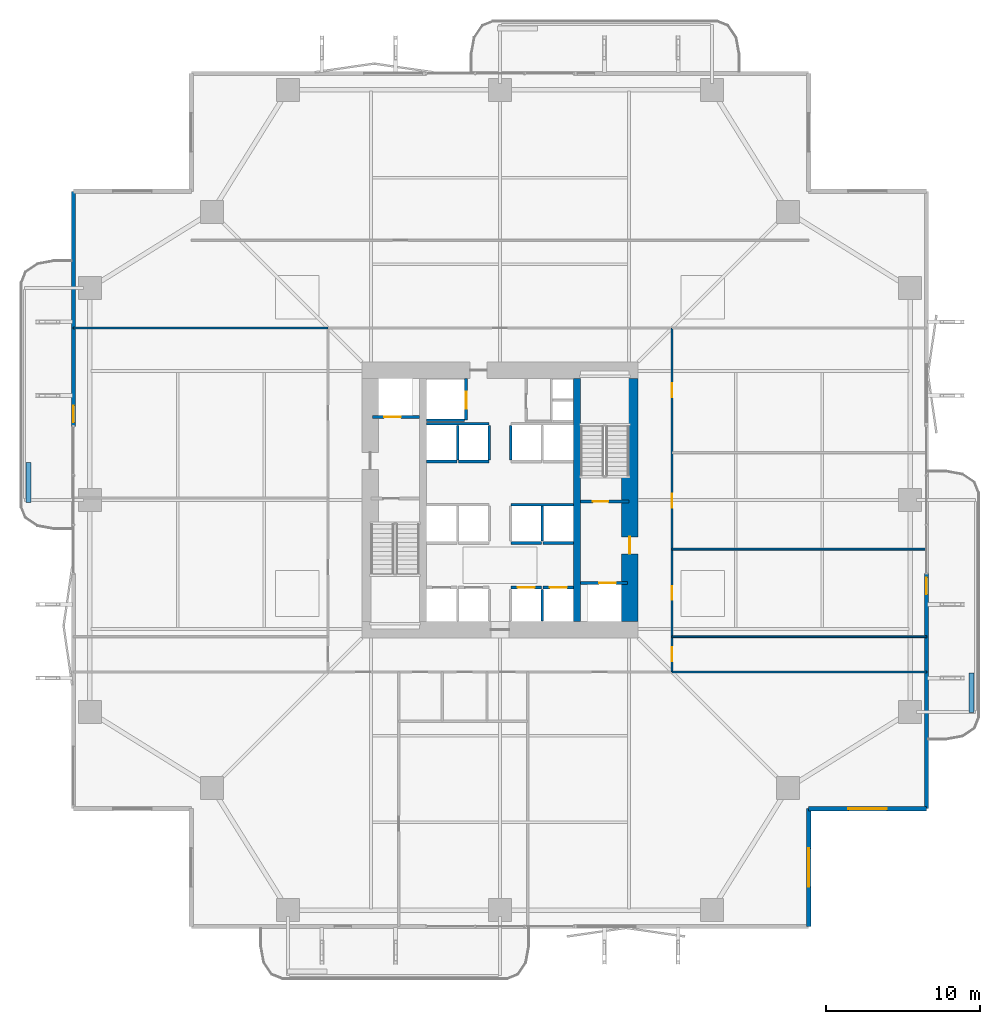
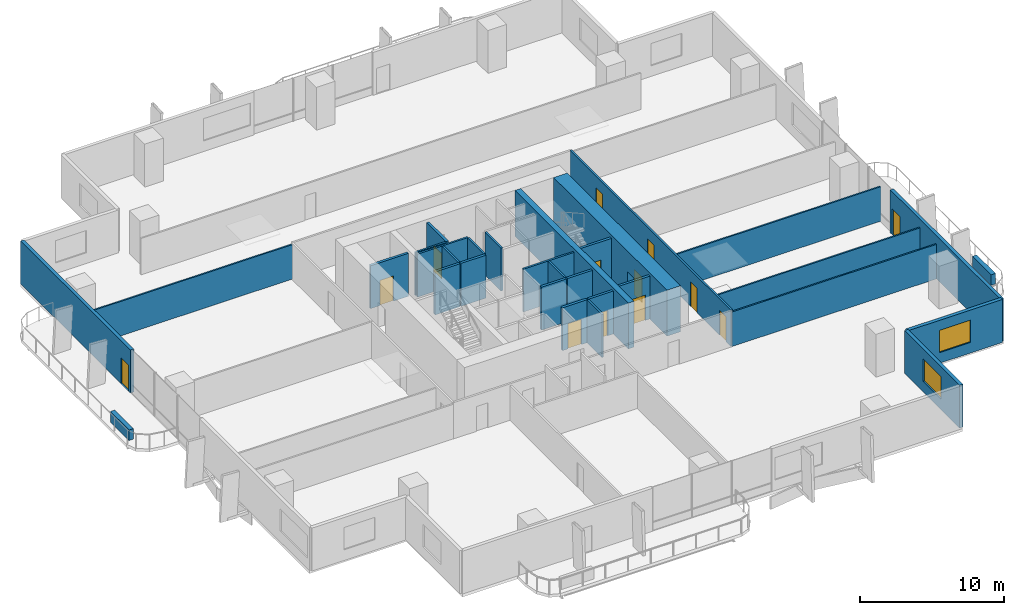
# One storey, part 18 of 23: 31 walls, 13 doors, 2 windows, 15 openings.
"""IFC4 building model written with IfcOpenShell, lengths in metres."""

from ifc_helpers import new_model, si_unit, direction, frame, frame_2d, origin, place, context, subcontext, project, spatial, rectangle, extrude, material, layer, layer_set, type_object, element, fill, save


model = new_model("IFC4")

# Units and contexts
model_context = context("Model", 3, precision=1e-05, world=origin(), true_north=direction((0.0, 1.0)))
body_context = subcontext(model_context, "Body", "Model", "MODEL_VIEW")
ifc_project = project(units=[si_unit("LENGTHUNIT", "METRE"), si_unit("AREAUNIT", "SQUARE_METRE"), si_unit("VOLUMEUNIT", "CUBIC_METRE"), si_unit("PLANEANGLEUNIT", "RADIAN"), si_unit("MASSUNIT", "GRAM", prefix="KILO")], contexts=[model_context])

# Site, building, storey
site_placement = place(None, origin())
site = spatial("IfcSite", under=ifc_project, at=site_placement, CompositionType="ELEMENT")
building_placement = place(site_placement, origin())
building = spatial("IfcBuilding", under=site, at=building_placement, Name="Belovzor Exchange Tower", CompositionType="ELEMENT")
storey_placement = place(building_placement, frame((0.0, 0.0, 65.10009765625)))
storey = spatial("IfcBuildingStorey", under=building, at=storey_placement, Name="L15", CompositionType="ELEMENT", Elevation=65.10009765625)

# Walls
ifc_material_1 = material(Name="Acoustic Plasterboard on Galvanised Studs", Category="gypsum")
ifc_layer_1 = layer(ifc_material_1, 0.1201171875)
ifc_layer_set_1 = layer_set([ifc_layer_1], Name="Acoustic Plasterboard on Galvanised Studs")
wall_type_1 = type_object("IfcWallType", Name="Acoustic Double-Stud Partition Wall 120", PredefinedType="PARTITIONING", material=ifc_layer_set_1)
for number, where, z_axis, x_axis, name in (
    (1, (40.0, 17.60009765625, 0.0), (0.0, 0.0, 1.0), (1.0, 0.0, 0.0), "W-P120 Partition Wall W-L15-END-SE"),
    (2, (1.030029296875, 40.0, 0.0), (0.0, 0.0, 1.0), (1.0, 0.0, 0.0), "W-P120 Partition Wall W-L15-END-NW"),
    (3, (40.0, 19.89990234375, 0.0), (0.0, 0.0, 1.0), (1.0, 0.0, 0.0), "W-P120 Partition Wall W-L15-EDIV-1"),
    (4, (40.0, 25.59912109375, 0.0), (0.0, 0.0, 1.0), (1.0, 0.0, 0.0), "W-P120 Partition Wall W-L15-EDIV-2"),
):
    element("IfcWall", number, at=place(storey_placement, frame(where, z_axis=z_axis, x_axis=x_axis)), inside=storey, type_object=wall_type_1, Name=name, PredefinedType="PARTITIONING", context=body_context, shape_type="SweptSolid", body=[
        extrude(rectangle(XDim=16.570068359375, YDim=0.1201171875, at=frame_2d((8.28515625, 0.0))), origin(), (0.0, 0.0, 1.0), 2.934814453125),
    ])

# Wall, openings, doors
ifc_material_2 = material(Name="Fire-Rated Gypsum Block and Mineral Wool", Category="gypsum")
ifc_layer_2 = layer(ifc_material_2, 0.14990234375)
ifc_layer_set_2 = layer_set([ifc_layer_2], Name="Fire-Rated Gypsum Block and Mineral Wool")
wall_type_2 = type_object("IfcWallType", Name="Fire-Rated Gypsum Block Corridor Wall 150", PredefinedType="PARTITIONING", material=ifc_layer_set_2)
wall_1_placement = place(storey_placement, frame((40.0, 17.60009765625, 0.0), z_axis=(0.0, 0.0, 1.0), x_axis=(0.0, 1.0, 0.0)))
wall_1 = element("IfcWall", 5, at=wall_1_placement, inside=storey, type_object=wall_type_2, Name="W-P150 Partition Wall W-L15-CE", PredefinedType="PARTITIONING", context=body_context, shape_type="SweptSolid", body=[
    extrude(rectangle(XDim=22.39990234375, YDim=0.14990234375, at=frame_2d((11.199951171875, 0.0))), origin(), (0.0, 0.0, 1.0), 3.0849609375),
])
opening_1_placement = place(wall_1_placement, frame((0.699951171875, 0.0, 0.0)))
opening_1 = element("IfcOpeningElement", 6, at=opening_1_placement, cuts=wall_1, Name="Opening D-INT-090", PredefinedType="OPENING", context=body_context, shape_type="SweptSolid", body=[
    extrude(rectangle(XDim=0.89990234375, YDim=2.10009765625, at=frame_2d((0.449951171875, 1.050048828125))), frame((0.0, 0.0849609375, 0.0), z_axis=(0.0, -1.0, 0.0), x_axis=(1.0, 0.0, 0.0)), (0.0, 0.0, 1.0), 0.169921875),
])
opening_2_placement = place(wall_1_placement, frame((4.698974609375, 0.0, 0.0)))
opening_2 = element("IfcOpeningElement", 7, at=opening_2_placement, cuts=wall_1, Name="Opening D-INT-090", PredefinedType="OPENING", context=body_context, shape_type="SweptSolid", body=[
    extrude(rectangle(XDim=0.89990234375, YDim=2.10009765625, at=frame_2d((0.449951171875, 1.050048828125))), frame((0.0, 0.0849609375, 0.0), z_axis=(0.0, -1.0, 0.0), x_axis=(1.0, 0.0, 0.0)), (0.0, 0.0, 1.0), 0.169921875),
])
opening_3_placement = place(wall_1_placement, frame((10.69189453125, 0.0, 0.0)))
opening_3 = element("IfcOpeningElement", 8, at=opening_3_placement, cuts=wall_1, Name="Opening D-INT-090", PredefinedType="OPENING", context=body_context, shape_type="SweptSolid", body=[
    extrude(rectangle(XDim=0.89990234375, YDim=2.10009765625, at=frame_2d((0.449951171875, 1.050048828125))), frame((0.0, 0.0849609375, 0.0), z_axis=(0.0, -1.0, 0.0), x_axis=(1.0, 0.0, 0.0)), (0.0, 0.0, 1.0), 0.169921875),
])
opening_4_placement = place(wall_1_placement, frame((17.89208984375, 0.0, 0.0)))
opening_4 = element("IfcOpeningElement", 9, at=opening_4_placement, cuts=wall_1, Name="Opening D-INT-090", PredefinedType="OPENING", context=body_context, shape_type="SweptSolid", body=[
    extrude(rectangle(XDim=0.89990234375, YDim=2.10009765625, at=frame_2d((0.449951171875, 1.050048828125))), frame((0.0, 0.0849609375, 0.0), z_axis=(0.0, -1.0, 0.0), x_axis=(1.0, 0.0, 0.0)), (0.0, 0.0, 1.0), 0.169921875),
])
ifc_material_3 = material(Name="Veneered Hardwood Acoustic Leaf", Category="wood")
door_type_1 = type_object("IfcDoorType", Name="Trading Suite Acoustic Single Door 900x2100", OperationType="NOTDEFINED", PredefinedType="DOOR", material=ifc_material_3)
door_1_placement = place(opening_1_placement, origin())
door_1 = element("IfcDoor", 10, at=door_1_placement, inside=storey, type_object=door_type_1, Name="D-INT-090 Trading Suite Acoustic Single Door 900x2100", OperationType="SINGLE_SWING_RIGHT", OverallHeight=2.10009765625, OverallWidth=0.89990234375, PredefinedType="DOOR", context=body_context, shape_type="SweptSolid", body=[
    extrude(rectangle(XDim=0.89990234375, YDim=2.10009765625, at=frame_2d((0.449951171875, 1.050048828125))), frame((0.0, 0.02490234375, 0.0), z_axis=(0.0, -1.0, 0.0), x_axis=(1.0, 0.0, 0.0)), (0.0, 0.0, 1.0), 0.050048828125),
])
fill(opening_1, door_1)
door_2_placement = place(opening_2_placement, origin())
door_2 = element("IfcDoor", 11, at=door_2_placement, inside=storey, type_object=door_type_1, Name="D-INT-090 Trading Suite Acoustic Single Door 900x2100", OperationType="SINGLE_SWING_LEFT", OverallHeight=2.10009765625, OverallWidth=0.89990234375, PredefinedType="DOOR", context=body_context, shape_type="SweptSolid", body=[
    extrude(rectangle(XDim=0.89990234375, YDim=2.10009765625, at=frame_2d((0.449951171875, 1.050048828125))), frame((0.0, 0.02490234375, 0.0), z_axis=(0.0, -1.0, 0.0), x_axis=(1.0, 0.0, 0.0)), (0.0, 0.0, 1.0), 0.050048828125),
])
fill(opening_2, door_2)
door_3_placement = place(opening_3_placement, origin())
door_3 = element("IfcDoor", 12, at=door_3_placement, inside=storey, type_object=door_type_1, Name="D-INT-090 Trading Suite Acoustic Single Door 900x2100", OperationType="SINGLE_SWING_RIGHT", OverallHeight=2.10009765625, OverallWidth=0.89990234375, PredefinedType="DOOR", context=body_context, shape_type="SweptSolid", body=[
    extrude(rectangle(XDim=0.89990234375, YDim=2.10009765625, at=frame_2d((0.449951171875, 1.050048828125))), frame((0.0, 0.02490234375, 0.0), z_axis=(0.0, -1.0, 0.0), x_axis=(1.0, 0.0, 0.0)), (0.0, 0.0, 1.0), 0.050048828125),
])
fill(opening_3, door_3)
door_4_placement = place(opening_4_placement, origin())
door_4 = element("IfcDoor", 13, at=door_4_placement, inside=storey, type_object=door_type_1, Name="D-INT-090 Trading Suite Acoustic Single Door 900x2100", OperationType="SINGLE_SWING_LEFT", OverallHeight=2.10009765625, OverallWidth=0.89990234375, PredefinedType="DOOR", context=body_context, shape_type="SweptSolid", body=[
    extrude(rectangle(XDim=0.89990234375, YDim=2.10009765625, at=frame_2d((0.449951171875, 1.050048828125))), frame((0.0, 0.02490234375, 0.0), z_axis=(0.0, -1.0, 0.0), x_axis=(1.0, 0.0, 0.0)), (0.0, 0.0, 1.0), 0.050048828125),
])
fill(opening_4, door_4)

# Wall, opening, window
ifc_material_4 = material(Name="Precast concrete C40/50", Category="concrete")
ifc_layer_3 = layer(ifc_material_4, 0.280029296875)
ifc_layer_set_3 = layer_set([ifc_layer_3], Name="Precast concrete C40/50")
wall_type_3 = type_object("IfcWallType", Name="Precast Concrete Notched Corner Frame Wall 280", PredefinedType="SOLIDWALL", material=ifc_layer_set_3)
wall_2_placement = place(storey_placement, frame((56.570068359375, 8.699951171875, 0.0), z_axis=(0.0, 0.0, 1.0), x_axis=(-1.0, 0.0, 0.0)))
wall_2 = element("IfcWall", 14, at=wall_2_placement, inside=storey, type_object=wall_type_3, Name="W-CRN280 Precast Concrete Notched Corner Frame Wall 280 L15", PredefinedType="SOLIDWALL", context=body_context, shape_type="SweptSolid", body=[
    extrude(rectangle(XDim=7.670166015625, YDim=0.280029296875, at=frame_2d((3.8349609375, 0.0))), origin(), (0.0, 0.0, 1.0), 3.64990234375),
])
opening_5_placement = place(wall_2_placement, frame((2.5849609375, 0.0, 0.89990234375)))
opening_5 = element("IfcOpeningElement", 15, at=opening_5_placement, cuts=wall_2, Name="Opening WN-CRN250", PredefinedType="OPENING", context=body_context, shape_type="SweptSolid", body=[
    extrude(rectangle(XDim=2.5, YDim=1.89990234375, at=frame_2d((1.25, 0.949951171875))), frame((0.0, 0.14990234375, 0.0), z_axis=(0.0, -1.0, 0.0), x_axis=(1.0, 0.0, 0.0)), (0.0, 0.0, 1.0), 0.300048828125),
])
ifc_material_5 = material(Name="Thermally Broken Aluminium and Triple Glazing", Category="aluminium")
window_type = type_object("IfcWindowType", Name="Streamline Moderne Corner Wrap Ribbon Window 2500x1900", PartitioningType="SINGLE_PANEL", PredefinedType="WINDOW", material=ifc_material_5)
window_1_placement = place(opening_5_placement, origin())
window_1 = element("IfcWindow", 16, at=window_1_placement, inside=storey, type_object=window_type, Name="WN-CRN250 Streamline Moderne Corner Wrap Ribbon Window 2500x1900", OverallHeight=1.89990234375, OverallWidth=2.5, PartitioningType="SINGLE_PANEL", PredefinedType="WINDOW", context=body_context, shape_type="SweptSolid", body=[
    extrude(rectangle(XDim=2.5, YDim=1.89990234375, at=frame_2d((1.25, 0.949951171875))), frame((0.0, 0.030029296875, 0.0), z_axis=(0.0, -1.0, 0.0), x_axis=(1.0, 0.0, 0.0)), (0.0, 0.0, 1.0), 0.06005859375),
])
fill(opening_5, window_1)

wall_3_placement = place(storey_placement, frame((48.89990234375, 8.699951171875, 0.0), z_axis=(0.0, 0.0, 1.0), x_axis=(0.0, -1.0, 0.0)))
wall_3 = element("IfcWall", 17, at=wall_3_placement, inside=storey, type_object=wall_type_3, Name="W-CRN280 Precast Concrete Notched Corner Frame Wall 280 L15", PredefinedType="SOLIDWALL", context=body_context, shape_type="SweptSolid", body=[
    extrude(rectangle(XDim=7.669921875, YDim=0.280029296875, at=frame_2d((3.8349609375, 0.0))), origin(), (0.0, 0.0, 1.0), 3.64990234375),
])
opening_6_placement = place(wall_3_placement, frame((2.5849609375, 0.0, 0.89990234375)))
opening_6 = element("IfcOpeningElement", 18, at=opening_6_placement, cuts=wall_3, Name="Opening WN-CRN250", PredefinedType="OPENING", context=body_context, shape_type="SweptSolid", body=[
    extrude(rectangle(XDim=2.5, YDim=1.89990234375, at=frame_2d((1.25, 0.949951171875))), frame((0.0, 0.14990234375, 0.0), z_axis=(0.0, -1.0, 0.0), x_axis=(1.0, 0.0, 0.0)), (0.0, 0.0, 1.0), 0.300048828125),
])
window_2_placement = place(opening_6_placement, origin())
window_2 = element("IfcWindow", 19, at=window_2_placement, inside=storey, type_object=window_type, Name="WN-CRN250 Streamline Moderne Corner Wrap Ribbon Window 2500x1900", OverallHeight=1.89990234375, OverallWidth=2.5, PartitioningType="SINGLE_PANEL", PredefinedType="WINDOW", context=body_context, shape_type="SweptSolid", body=[
    extrude(rectangle(XDim=2.5, YDim=1.89990234375, at=frame_2d((1.25, 0.949951171875))), frame((0.0, 0.030029296875, 0.0), z_axis=(0.0, -1.0, 0.0), x_axis=(1.0, 0.0, 0.0)), (0.0, 0.0, 1.0), 0.06005859375),
])
fill(opening_6, window_2)

# Wall, opening, door
ifc_material_6 = material(Name="Precast concrete C40/50", Category="concrete")
ifc_layer_4 = layer(ifc_material_6, 0.260009765625)
ifc_layer_set_4 = layer_set([ifc_layer_4], Name="Precast concrete C40/50")
wall_type_4 = type_object("IfcWallType", Name="Precast Concrete Perimeter Loggia Frame Wall 260", PredefinedType="SOLIDWALL", material=ifc_layer_set_4)
wall_4_placement = place(storey_placement, frame((1.030029296875, 33.60009765625, 0.0), z_axis=(0.0, 0.0, 1.0), x_axis=(0.0, 1.0, 0.0)))
wall_4 = element("IfcWall", 20, at=wall_4_placement, inside=storey, type_object=wall_type_4, Name="W-EXT260 Precast Concrete Perimeter Loggia Frame Wall 260 L15", PredefinedType="SOLIDWALL", context=body_context, shape_type="SweptSolid", body=[
    extrude(rectangle(XDim=15.2998046875, YDim=0.260009765625, at=frame_2d((7.64990234375, 0.0))), origin(), (0.0, 0.0, 1.0), 3.64990234375),
])
opening_7_placement = place(wall_4_placement, frame((0.25, 0.0, 0.0)))
opening_7 = element("IfcOpeningElement", 21, at=opening_7_placement, cuts=wall_4, Name="Opening D-BAL110", PredefinedType="OPENING", context=body_context, shape_type="SweptSolid", body=[
    extrude(rectangle(XDim=1.10009765625, YDim=2.199951171875, at=frame_2d((0.550048828125, 1.10009765625))), frame((0.0, 0.139892578125, 0.0), z_axis=(0.0, -1.0, 0.0), x_axis=(1.0, 0.0, 0.0)), (0.0, 0.0, 1.0), 0.280029296875),
])
ifc_material_7 = material(Name="Thermally Broken Anodised Aluminium and Laminated Glass", Category="aluminium")
door_type_2 = type_object("IfcDoorType", Name="Planted Loggia Terrace Glazed Door 1100x2200", OperationType="SINGLE_SWING_LEFT", PredefinedType="DOOR", material=ifc_material_7)
door_5_placement = place(opening_7_placement, origin())
door_5 = element("IfcDoor", 22, at=door_5_placement, inside=storey, type_object=door_type_2, Name="D-BAL110 Balcony Terrace Door L15 W", OperationType="SINGLE_SWING_RIGHT", OverallHeight=2.199951171875, OverallWidth=1.10009765625, PredefinedType="DOOR", context=body_context, shape_type="SweptSolid", body=[
    extrude(rectangle(XDim=1.10009765625, YDim=2.199951171875, at=frame_2d((0.550048828125, 1.10009765625))), frame((0.0, 0.02490234375, 0.0), z_axis=(0.0, -1.0, 0.0), x_axis=(1.0, 0.0, 0.0)), (0.0, 0.0, 1.0), 0.050048828125),
])
fill(opening_7, door_5)

wall_5_placement = place(storey_placement, frame((56.570068359375, 24.0, 0.0), z_axis=(0.0, 0.0, 1.0), x_axis=(0.0, -1.0, 0.0)))
wall_5 = element("IfcWall", 23, at=wall_5_placement, inside=storey, type_object=wall_type_4, Name="W-EXT260 Precast Concrete Perimeter Loggia Frame Wall 260 L15", PredefinedType="SOLIDWALL", context=body_context, shape_type="SweptSolid", body=[
    extrude(rectangle(XDim=15.300048828125, YDim=0.260009765625, at=frame_2d((7.64990234375, 0.0))), origin(), (0.0, 0.0, 1.0), 3.64990234375),
])
opening_8_placement = place(wall_5_placement, frame((0.25, 0.0, 0.0)))
opening_8 = element("IfcOpeningElement", 24, at=opening_8_placement, cuts=wall_5, Name="Opening D-BAL110", PredefinedType="OPENING", context=body_context, shape_type="SweptSolid", body=[
    extrude(rectangle(XDim=1.10009765625, YDim=2.199951171875, at=frame_2d((0.550048828125, 1.10009765625))), frame((0.0, 0.139892578125, 0.0), z_axis=(0.0, -1.0, 0.0), x_axis=(1.0, 0.0, 0.0)), (0.0, 0.0, 1.0), 0.280029296875),
])
door_6_placement = place(opening_8_placement, origin())
door_6 = element("IfcDoor", 25, at=door_6_placement, inside=storey, type_object=door_type_2, Name="D-BAL110 Balcony Terrace Door L15 E", OperationType="SINGLE_SWING_LEFT", OverallHeight=2.199951171875, OverallWidth=1.10009765625, PredefinedType="DOOR", context=body_context, shape_type="SweptSolid", body=[
    extrude(rectangle(XDim=1.10009765625, YDim=2.199951171875, at=frame_2d((0.550048828125, 1.10009765625))), frame((0.0, 0.02490234375, 0.0), z_axis=(0.0, -1.0, 0.0), x_axis=(1.0, 0.0, 0.0)), (0.0, 0.0, 1.0), 0.050048828125),
])
fill(opening_8, door_6)

# Walls
ifc_material_8 = material(Name="Precast concrete C40/50", Category="concrete")
ifc_layer_5 = layer(ifc_material_8, 0.35009765625)
ifc_layer_set_5 = layer_set([ifc_layer_5], Name="Precast concrete C40/50")
wall_type_5 = type_object("IfcWallType", Name="Precast Concrete Structural Tree Planter Trough 350", PredefinedType="PARAPET", material=ifc_layer_set_5)
for number, where, z_axis, x_axis, name in (
    (26, (59.5, 14.949951171875, 0.0), (0.0, 0.0, 1.0), (0.0, 1.0, 0.0), "PT-350 Precast Concrete Structural Tree Planter Trough 350 L15"),
    (27, (-1.89990234375, 28.64990234375, 0.0), (0.0, 0.0, 1.0), (0.0, 1.0, 0.0), "PT-350 Precast Concrete Structural Tree Planter Trough 350 L15"),
):
    element("IfcWall", number, at=place(storey_placement, frame(where, z_axis=z_axis, x_axis=x_axis)), inside=storey, type_object=wall_type_5, Name=name, PredefinedType="PARAPET", context=body_context, shape_type="SweptSolid", body=[
        extrude(rectangle(XDim=2.60009765625, YDim=0.35009765625, at=frame_2d((1.300048828125, 0.0))), origin(), (0.0, 0.0, 1.0), 0.89990234375),
    ])
ifc_material_9 = material(Name="Concrete C50/60", Category="concrete")
ifc_layer_6 = layer(ifc_material_9, 0.449951171875)
ifc_layer_set_6 = layer_set([ifc_layer_6], Name="Concrete C50/60")
wall_type_6 = type_object("IfcWallType", Name="Reinforced Concrete Core Internal Web Wall 450", PredefinedType="SHEAR", material=ifc_layer_set_6)
wall_6_placement = place(storey_placement, frame((33.824951171875, 20.89990234375, 0.0), z_axis=(0.0, 0.0, 1.0), x_axis=(0.0, 1.0, 0.0)))
element("IfcWall", 28, at=wall_6_placement, inside=storey, type_object=wall_type_6, Name="CW-W045 Core Internal Web Wall L15 ER", PredefinedType="SHEAR", context=body_context, shape_type="SweptSolid", body=[
    extrude(rectangle(XDim=15.800048828125, YDim=0.449951171875, at=frame_2d((7.89990234375, 0.0))), origin(), (0.0, 0.0, 1.0), 3.89990234375),
])
ifc_material_10 = material(Name="Concrete C50/60", Category="concrete")
ifc_layer_7 = layer(ifc_material_10, 0.14990234375)
ifc_layer_set_7 = layer_set([ifc_layer_7], Name="Concrete C50/60")
wall_type_7 = type_object("IfcWallType", Name="Reinforced Concrete Core Riser Shear Wall 150", PredefinedType="SHEAR", material=ifc_layer_set_7)
wall_7_placement = place(storey_placement, frame((24.0, 34.0, 0.0), z_axis=(0.0, 0.0, 1.0), x_axis=(1.0, 0.0, 0.0)))
element("IfcWall", 29, at=wall_7_placement, inside=storey, type_object=wall_type_7, Name="W-C150S Core Shaft Wall W-SH-L15-SL-01S", PredefinedType="SHEAR", context=body_context, shape_type="SweptSolid", body=[
    extrude(rectangle(XDim=2.47998046875, YDim=0.14990234375, at=frame_2d((1.239990234375, 0.0))), origin(), (0.0, 0.0, 1.0), 3.64990234375),
])
wall_8_placement = place(storey_placement, frame((31.550048828125, 20.919921875, 0.0), z_axis=(0.0, 0.0, 1.0), x_axis=(0.0, 1.0, 0.0)))
element("IfcWall", 30, at=wall_8_placement, inside=storey, type_object=wall_type_7, Name="W-C150S Core Shaft Wall W-SHD-L15-PLL-4", PredefinedType="SHEAR", context=body_context, shape_type="SweptSolid", body=[
    extrude(rectangle(XDim=2.06005859375, YDim=0.14990234375, at=frame_2d((1.030029296875, 0.0))), origin(), (0.0, 0.0, 1.0), 3.64990234375),
])
wall_9_placement = place(storey_placement, frame((29.5, 28.5, 0.0), z_axis=(0.0, 0.0, 1.0), x_axis=(1.0, 0.0, 0.0)))
element("IfcWall", 31, at=wall_9_placement, inside=storey, type_object=wall_type_7, Name="W-C150S Core Shaft Wall W-SHB-L15-PLM-NE", PredefinedType="SHEAR", context=body_context, shape_type="SweptSolid", body=[
    extrude(rectangle(XDim=4.080078125, YDim=0.14990234375, at=frame_2d((2.0400390625, 0.0))), origin(), (0.0, 0.0, 1.0), 3.64990234375),
])
wall_10_placement = place(storey_placement, frame((31.550048828125, 26.1201171875, 0.0), z_axis=(0.0, 0.0, 1.0), x_axis=(0.0, 1.0, 0.0)))
element("IfcWall", 32, at=wall_10_placement, inside=storey, type_object=wall_type_7, Name="W-C150S Core Shaft Wall W-SHD-L15-PLM-4", PredefinedType="SHEAR", context=body_context, shape_type="SweptSolid", body=[
    extrude(rectangle(XDim=2.27978515625, YDim=0.14990234375, at=frame_2d((1.139892578125, 0.0))), origin(), (0.0, 0.0, 1.0), 3.64990234375),
])
wall_11_placement = place(storey_placement, frame((24.02001953125, 33.760009765625, 0.0), z_axis=(0.0, 0.0, 1.0), x_axis=(1.0, 0.0, 0.0)))
element("IfcWall", 33, at=wall_11_placement, inside=storey, type_object=wall_type_7, Name="W-C150S Core Shaft Wall W-SHB-L15-PLH-NW", PredefinedType="SHEAR", context=body_context, shape_type="SweptSolid", body=[
    extrude(rectangle(XDim=4.080078125, YDim=0.14990234375, at=frame_2d((2.0400390625, 0.0))), origin(), (0.0, 0.0, 1.0), 3.64990234375),
])
for number, where, z_axis, x_axis, name in (
    (34, (26.050048828125, 31.419921875, 0.0), (0.0, 0.0, 1.0), (0.0, 1.0, 0.0), "W-C150S Core Shaft Wall W-SHD-L15-PLH-1"),
    (35, (28.10009765625, 31.419921875, 0.0), (0.0, 0.0, 1.0), (0.0, 1.0, 0.0), "W-C150S Core Shaft Wall W-SHD-L15-PLH-2"),
    (36, (29.5, 31.419921875, 0.0), (0.0, 0.0, 1.0), (0.0, 1.0, 0.0), "W-C150S Core Shaft Wall W-SHD-L15-PLH-3"),
):
    element("IfcWall", number, at=place(storey_placement, frame(where, z_axis=z_axis, x_axis=x_axis)), inside=storey, type_object=wall_type_7, Name=name, PredefinedType="SHEAR", context=body_context, shape_type="SweptSolid", body=[
        extrude(rectangle(XDim=2.239990234375, YDim=0.14990234375, at=frame_2d((1.1201171875, 0.0))), origin(), (0.0, 0.0, 1.0), 3.64990234375),
    ])

# Wall, opening, door
ifc_material_11 = material(Name="Concrete C50/60", Category="concrete")
ifc_layer_8 = layer(ifc_material_11, 0.199951171875)
ifc_layer_set_8 = layer_set([ifc_layer_8], Name="Concrete C50/60")
wall_type_8 = type_object("IfcWallType", Name="Reinforced Concrete Core Shaft Shear Wall 200", PredefinedType="SHEAR", material=ifc_layer_set_8)
wall_12_placement = place(storey_placement, frame((34.050048828125, 28.699951171875, 0.0), z_axis=(0.0, 0.0, 1.0), x_axis=(1.0, 0.0, 0.0)))
wall_12 = element("IfcWall", 37, at=wall_12_placement, inside=storey, type_object=wall_type_8, Name="W-C200S Core Shaft Wall W-CORE-L15-FFLE2", PredefinedType="SHEAR", context=body_context, shape_type="SweptSolid", body=[
    extrude(rectangle(XDim=3.14990234375, YDim=0.199951171875, at=frame_2d((1.574951171875, 0.0))), origin(), (0.0, 0.0, 1.0), 3.64990234375),
])
opening_9_placement = place(wall_12_placement, frame((0.800048828125, 0.0, 0.0)))
opening_9 = element("IfcOpeningElement", 38, at=opening_9_placement, cuts=wall_12, Name="Opening D-FD90-100", PredefinedType="OPENING", context=body_context, shape_type="SweptSolid", body=[
    extrude(rectangle(XDim=1.0, YDim=2.10009765625, at=frame_2d((0.5, 1.050048828125))), frame((0.0, 0.10986328125, 0.0), z_axis=(0.0, -1.0, 0.0), x_axis=(1.0, 0.0, 0.0)), (0.0, 0.0, 1.0), 0.219970703125),
])
ifc_material_12 = material(Name="Fire-Rated Galvanised Steel Leaf", Category="steel")
door_type_3 = type_object("IfcDoorType", Name="Protected Stairwell Single Fire Door 1000x2100", OperationType="NOTDEFINED", PredefinedType="DOOR", material=ifc_material_12)
door_7_placement = place(opening_9_placement, origin())
door_7 = element("IfcDoor", 39, at=door_7_placement, inside=storey, type_object=door_type_3, Name="D-FD90-100 Protected Stairwell Single Fire Door 1000x2100", OperationType="SINGLE_SWING_LEFT", OverallHeight=2.10009765625, OverallWidth=1.0, PredefinedType="DOOR", context=body_context, shape_type="SweptSolid", body=[
    extrude(rectangle(XDim=1.0, YDim=2.10009765625, at=frame_2d((0.5, 1.050048828125))), frame((0.0, 0.02490234375, 0.0), z_axis=(0.0, -1.0, 0.0), x_axis=(1.0, 0.0, 0.0)), (0.0, 0.0, 1.0), 0.050048828125),
])
fill(opening_9, door_7)

wall_13_placement = place(storey_placement, frame((20.5, 34.199951171875, 0.0), z_axis=(0.0, 0.0, 1.0), x_axis=(1.0, 0.0, 0.0)))
wall_13 = element("IfcWall", 40, at=wall_13_placement, inside=storey, type_object=wall_type_8, Name="W-C200S Core Shaft Wall W-SH-L15-FFL-01", PredefinedType="SHEAR", context=body_context, shape_type="SweptSolid", body=[
    extrude(rectangle(XDim=3.050048828125, YDim=0.199951171875, at=frame_2d((1.52490234375, 0.0))), origin(), (0.0, 0.0, 1.0), 3.64990234375),
])
opening_10_placement = place(wall_13_placement, frame((0.75, 0.0, 0.0)))
opening_10 = element("IfcOpeningElement", 41, at=opening_10_placement, cuts=wall_13, Name="Opening LD-110", PredefinedType="OPENING", context=body_context, shape_type="SweptSolid", body=[
    extrude(rectangle(XDim=1.10009765625, YDim=2.14990234375, at=frame_2d((0.550048828125, 1.074951171875))), frame((0.0, 0.10986328125, 0.0), z_axis=(0.0, -1.0, 0.0), x_axis=(1.0, 0.0, 0.0)), (0.0, 0.0, 1.0), 0.219970703125),
])
ifc_material_13 = material(Name="Stainless Steel Grade 304", Category="steel")
door_type_4 = type_object("IfcDoorType", Name="Automated Stainless Steel Lift Landing Door 1100x2150", OperationType="SLIDING_TO_RIGHT", PredefinedType="DOOR", material=ifc_material_13)
door_8_placement = place(opening_10_placement, origin())
door_8 = element("IfcDoor", 42, at=door_8_placement, inside=storey, type_object=door_type_4, Name="LD-110 Automated Stainless Steel Lift Landing Door 1100x2150", OperationType="SLIDING_TO_RIGHT", OverallHeight=2.14990234375, OverallWidth=1.10009765625, PredefinedType="DOOR", context=body_context, shape_type="SweptSolid", body=[
    extrude(rectangle(XDim=1.10009765625, YDim=2.14990234375, at=frame_2d((0.550048828125, 1.074951171875))), frame((0.0, 0.02490234375, 0.0), z_axis=(0.0, -1.0, 0.0), x_axis=(1.0, 0.0, 0.0)), (0.0, 0.0, 1.0), 0.050048828125),
])
fill(opening_10, door_8)

wall_14_placement = place(storey_placement, frame((34.050048828125, 23.39990234375, 0.0), z_axis=(0.0, 0.0, 1.0), x_axis=(1.0, 0.0, 0.0)))
wall_14 = element("IfcWall", 43, at=wall_14_placement, inside=storey, type_object=wall_type_8, Name="W-C200S Core Shaft Wall W-SH-L15-FFL-02", PredefinedType="SHEAR", context=body_context, shape_type="SweptSolid", body=[
    extrude(rectangle(XDim=3.050048828125, YDim=0.199951171875, at=frame_2d((1.52490234375, 0.0))), origin(), (0.0, 0.0, 1.0), 3.64990234375),
])
opening_11_placement = place(wall_14_placement, frame((1.199951171875, 0.0, 0.0)))
opening_11 = element("IfcOpeningElement", 44, at=opening_11_placement, cuts=wall_14, Name="Opening LD-110", PredefinedType="OPENING", context=body_context, shape_type="SweptSolid", body=[
    extrude(rectangle(XDim=1.10009765625, YDim=2.14990234375, at=frame_2d((0.550048828125, 1.074951171875))), frame((0.0, 0.10986328125, 0.0), z_axis=(0.0, -1.0, 0.0), x_axis=(1.0, 0.0, 0.0)), (0.0, 0.0, 1.0), 0.219970703125),
])
door_9_placement = place(opening_11_placement, origin())
door_9 = element("IfcDoor", 45, at=door_9_placement, inside=storey, type_object=door_type_4, Name="LD-110 Automated Stainless Steel Lift Landing Door 1100x2150", OperationType="SLIDING_TO_RIGHT", OverallHeight=2.14990234375, OverallWidth=1.10009765625, PredefinedType="DOOR", context=body_context, shape_type="SweptSolid", body=[
    extrude(rectangle(XDim=1.10009765625, YDim=2.14990234375, at=frame_2d((0.550048828125, 1.074951171875))), frame((0.0, 0.02490234375, 0.0), z_axis=(0.0, -1.0, 0.0), x_axis=(1.0, 0.0, 0.0)), (0.0, 0.0, 1.0), 0.050048828125),
])
fill(opening_11, door_9)

wall_15_placement = place(storey_placement, frame((26.60009765625, 34.0, 0.0), z_axis=(0.0, 0.0, 1.0), x_axis=(0.0, 1.0, 0.0)))
wall_15 = element("IfcWall", 46, at=wall_15_placement, inside=storey, type_object=wall_type_8, Name="W-C200S Core Shaft Wall W-SH-L15-SL-01", PredefinedType="SHEAR", context=body_context, shape_type="SweptSolid", body=[
    extrude(rectangle(XDim=2.699951171875, YDim=0.199951171875, at=frame_2d((1.35009765625, 0.0))), origin(), (0.0, 0.0, 1.0), 3.64990234375),
])
opening_12_placement = place(wall_15_placement, frame((0.75, 0.0, 0.0)))
opening_12 = element("IfcOpeningElement", 47, at=opening_12_placement, cuts=wall_15, Name="Opening LD-110", PredefinedType="OPENING", context=body_context, shape_type="SweptSolid", body=[
    extrude(rectangle(XDim=1.10009765625, YDim=2.14990234375, at=frame_2d((0.550048828125, 1.074951171875))), frame((0.0, 0.10986328125, 0.0), z_axis=(0.0, -1.0, 0.0), x_axis=(1.0, 0.0, 0.0)), (0.0, 0.0, 1.0), 0.219970703125),
])
door_10_placement = place(opening_12_placement, origin())
door_10 = element("IfcDoor", 48, at=door_10_placement, inside=storey, type_object=door_type_4, Name="LD-110 Automated Stainless Steel Lift Landing Door 1100x2150", OperationType="SLIDING_TO_RIGHT", OverallHeight=2.14990234375, OverallWidth=1.10009765625, PredefinedType="DOOR", context=body_context, shape_type="SweptSolid", body=[
    extrude(rectangle(XDim=1.10009765625, YDim=2.14990234375, at=frame_2d((0.550048828125, 1.074951171875))), frame((0.0, 0.02490234375, 0.0), z_axis=(0.0, -1.0, 0.0), x_axis=(1.0, 0.0, 0.0)), (0.0, 0.0, 1.0), 0.050048828125),
])
fill(opening_12, door_10)

wall_16_placement = place(storey_placement, frame((29.5, 23.10009765625, 0.0), z_axis=(0.0, 0.0, 1.0), x_axis=(1.0, 0.0, 0.0)))
wall_16 = element("IfcWall", 49, at=wall_16_placement, inside=storey, type_object=wall_type_8, Name="W-C200S Core Shaft Wall W-SH-L15-PL-L3", PredefinedType="SHEAR", context=body_context, shape_type="SweptSolid", body=[
    extrude(rectangle(XDim=2.0, YDim=0.199951171875, at=frame_2d((1.0, 0.0))), origin(), (0.0, 0.0, 1.0), 3.64990234375),
])
opening_13_placement = place(wall_16_placement, frame((0.449951171875, 0.0, 0.0)))
opening_13 = element("IfcOpeningElement", 50, at=opening_13_placement, cuts=wall_16, Name="Opening LD-110", PredefinedType="OPENING", context=body_context, shape_type="SweptSolid", body=[
    extrude(rectangle(XDim=1.10009765625, YDim=2.14990234375, at=frame_2d((0.550048828125, 1.074951171875))), frame((0.0, 0.10986328125, 0.0), z_axis=(0.0, -1.0, 0.0), x_axis=(1.0, 0.0, 0.0)), (0.0, 0.0, 1.0), 0.219970703125),
])
door_11_placement = place(opening_13_placement, origin())
door_11 = element("IfcDoor", 51, at=door_11_placement, inside=storey, type_object=door_type_4, Name="LD-110 Automated Stainless Steel Lift Landing Door 1100x2150", OperationType="SLIDING_TO_RIGHT", OverallHeight=2.14990234375, OverallWidth=1.10009765625, PredefinedType="DOOR", context=body_context, shape_type="SweptSolid", body=[
    extrude(rectangle(XDim=1.10009765625, YDim=2.14990234375, at=frame_2d((0.550048828125, 1.074951171875))), frame((0.0, 0.02490234375, 0.0), z_axis=(0.0, -1.0, 0.0), x_axis=(1.0, 0.0, 0.0)), (0.0, 0.0, 1.0), 0.050048828125),
])
fill(opening_13, door_11)

wall_17_placement = place(storey_placement, frame((31.60009765625, 23.10009765625, 0.0), z_axis=(0.0, 0.0, 1.0), x_axis=(1.0, 0.0, 0.0)))
wall_17 = element("IfcWall", 52, at=wall_17_placement, inside=storey, type_object=wall_type_8, Name="W-C200S Core Shaft Wall W-SH-L15-PL-L4", PredefinedType="SHEAR", context=body_context, shape_type="SweptSolid", body=[
    extrude(rectangle(XDim=2.0, YDim=0.199951171875, at=frame_2d((1.0, 0.0))), origin(), (0.0, 0.0, 1.0), 3.64990234375),
])
opening_14_placement = place(wall_17_placement, frame((0.449951171875, 0.0, 0.0)))
opening_14 = element("IfcOpeningElement", 53, at=opening_14_placement, cuts=wall_17, Name="Opening LD-110", PredefinedType="OPENING", context=body_context, shape_type="SweptSolid", body=[
    extrude(rectangle(XDim=1.10009765625, YDim=2.14990234375, at=frame_2d((0.550048828125, 1.074951171875))), frame((0.0, 0.10986328125, 0.0), z_axis=(0.0, -1.0, 0.0), x_axis=(1.0, 0.0, 0.0)), (0.0, 0.0, 1.0), 0.219970703125),
])
door_12_placement = place(opening_14_placement, origin())
door_12 = element("IfcDoor", 54, at=door_12_placement, inside=storey, type_object=door_type_4, Name="LD-110 Automated Stainless Steel Lift Landing Door 1100x2150", OperationType="SLIDING_TO_RIGHT", OverallHeight=2.14990234375, OverallWidth=1.10009765625, PredefinedType="DOOR", context=body_context, shape_type="SweptSolid", body=[
    extrude(rectangle(XDim=1.10009765625, YDim=2.14990234375, at=frame_2d((0.550048828125, 1.074951171875))), frame((0.0, 0.02490234375, 0.0), z_axis=(0.0, -1.0, 0.0), x_axis=(1.0, 0.0, 0.0)), (0.0, 0.0, 1.0), 0.050048828125),
])
fill(opening_14, door_12)

# Walls
for number, where, z_axis, x_axis, name in (
    (55, (29.5, 26.0, 0.0), (0.0, 0.0, 1.0), (1.0, 0.0, 0.0), "W-C200S Core Shaft Wall W-SH-L15-PL-M3"),
    (56, (31.60009765625, 26.0, 0.0), (0.0, 0.0, 1.0), (1.0, 0.0, 0.0), "W-C200S Core Shaft Wall W-SH-L15-PL-M4"),
    (57, (24.0, 31.300048828125, 0.0), (0.0, 0.0, 1.0), (1.0, 0.0, 0.0), "W-C200S Core Shaft Wall W-SH-L15-PL-H1"),
    (58, (26.10009765625, 31.300048828125, 0.0), (0.0, 0.0, 1.0), (1.0, 0.0, 0.0), "W-C200S Core Shaft Wall W-SH-L15-PL-H2"),
):
    element("IfcWall", number, at=place(storey_placement, frame(where, z_axis=z_axis, x_axis=x_axis)), inside=storey, type_object=wall_type_8, Name=name, PredefinedType="SHEAR", context=body_context, shape_type="SweptSolid", body=[
        extrude(rectangle(XDim=2.0, YDim=0.199951171875, at=frame_2d((1.0, 0.0))), origin(), (0.0, 0.0, 1.0), 3.64990234375),
    ])

# Wall, opening, door
ifc_material_14 = material(Name="Concrete C60/75", Category="concrete")
ifc_layer_9 = layer(ifc_material_14, 1.10009765625)
ifc_layer_set_9 = layer_set([ifc_layer_9], Name="Concrete C60/75")
wall_type_9 = type_object("IfcWallType", Name="Reinforced Concrete Core Shear Wall 1100", PredefinedType="SHEAR", material=ifc_layer_set_9)
wall_18_placement = place(storey_placement, frame((37.25, 20.89990234375, 0.0), z_axis=(0.0, 0.0, 1.0), x_axis=(0.0, 1.0, 0.0)))
wall_18 = element("IfcWall", 59, at=wall_18_placement, inside=storey, type_object=wall_type_9, Name="CW-S110 Core Shear Wall L15 E", PredefinedType="SHEAR", context=body_context, shape_type="SweptSolid", body=[
    extrude(rectangle(XDim=15.800048828125, YDim=1.10009765625, at=frame_2d((7.89990234375, 0.0))), origin(), (0.0, 0.0, 1.0), 3.89990234375),
])
opening_15_placement = place(wall_18_placement, frame((4.39990234375, 0.0, 0.0)))
opening_15 = element("IfcOpeningElement", 60, at=opening_15_placement, cuts=wall_18, Name="Opening D-FD90-110", PredefinedType="OPENING", context=body_context, shape_type="SweptSolid", body=[
    extrude(rectangle(XDim=1.10009765625, YDim=2.14990234375, at=frame_2d((0.550048828125, 1.074951171875))), frame((0.0, 0.56005859375, 0.0), z_axis=(0.0, -1.0, 0.0), x_axis=(1.0, 0.0, 0.0)), (0.0, 0.0, 1.0), 1.1201171875),
])
ifc_material_15 = material(Name="Fire-Rated Galvanised Steel Leaf", Category="steel")
door_type_5 = type_object("IfcDoorType", Name="Protected Escape Vestibule Fire Door 1100x2150", OperationType="NOTDEFINED", PredefinedType="DOOR", material=ifc_material_15)
door_13_placement = place(opening_15_placement, origin())
door_13 = element("IfcDoor", 61, at=door_13_placement, inside=storey, type_object=door_type_5, Name="D-FD90-110 Protected Escape Vestibule Fire Door 1100x2150", OperationType="SINGLE_SWING_RIGHT", OverallHeight=2.14990234375, OverallWidth=1.10009765625, PredefinedType="DOOR", context=body_context, shape_type="SweptSolid", body=[
    extrude(rectangle(XDim=1.10009765625, YDim=2.14990234375, at=frame_2d((0.550048828125, 1.074951171875))), frame((0.0, 0.02490234375, 0.0), z_axis=(0.0, -1.0, 0.0), x_axis=(1.0, 0.0, 0.0)), (0.0, 0.0, 1.0), 0.050048828125),
])
fill(opening_15, door_13)

save(model, "model.ifc")
